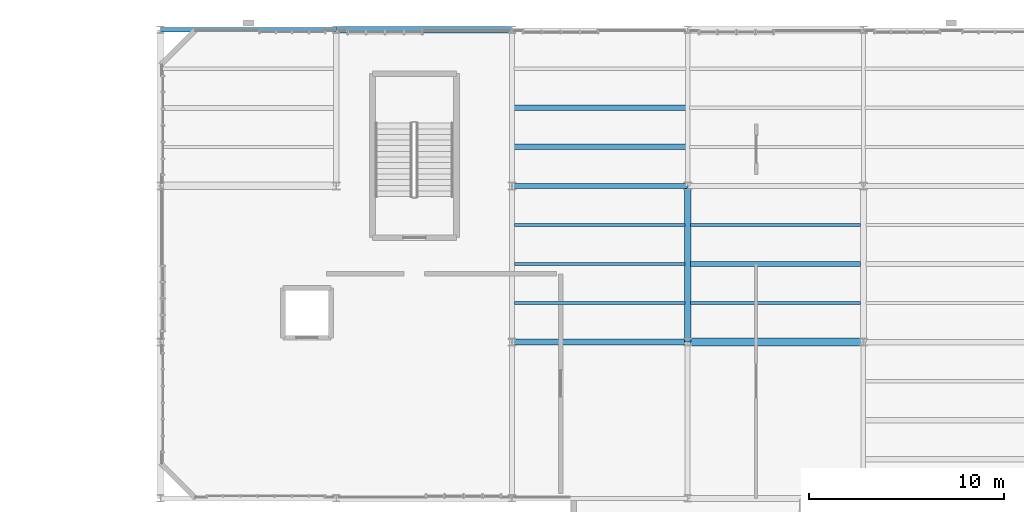
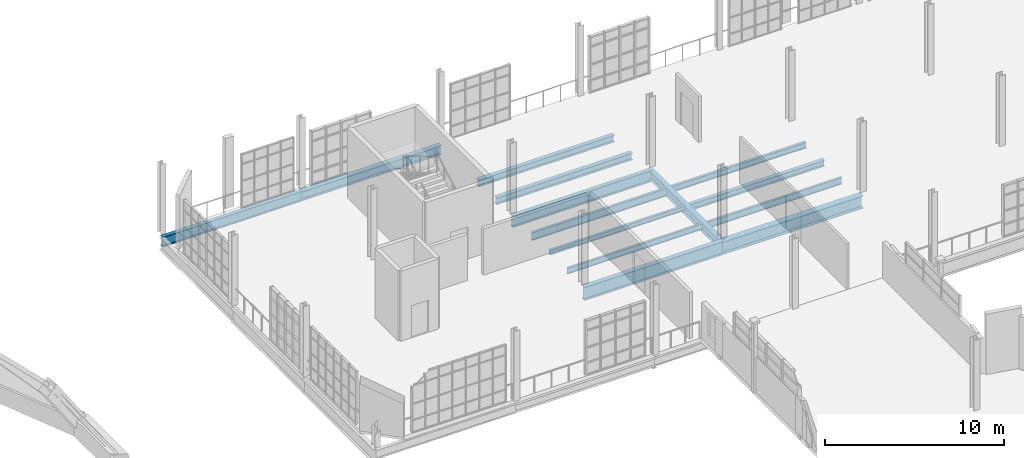
# One storey, part 64 of 118: 14 beams.
"""IFC4 building model written with IfcOpenShell, lengths in metres."""

from ifc_helpers import new_model, si_unit, direction, frame, origin, origin_2d, place, context, subcontext, project, spatial, i_section, extrude, material, material_profile, profile_set, type_object, element, save


model = new_model("IFC4")

# Units and contexts
model_context = context("Model", 3, precision=1e-05, world=origin(), true_north=direction((0.0, 1.0)))
body_context = subcontext(model_context, "Body", "Model", "MODEL_VIEW")
ifc_project = project(units=[si_unit("LENGTHUNIT", "METRE"), si_unit("AREAUNIT", "SQUARE_METRE"), si_unit("VOLUMEUNIT", "CUBIC_METRE"), si_unit("PLANEANGLEUNIT", "RADIAN"), si_unit("MASSUNIT", "GRAM", prefix="KILO"), si_unit("THERMODYNAMICTEMPERATUREUNIT", "KELVIN"), si_unit("POWERUNIT", "WATT")], contexts=[model_context])

# Site, building, storey
site_placement = place(None, origin())
site = spatial("IfcSite", under=ifc_project, at=site_placement, CompositionType="ELEMENT")
building_placement = place(site_placement, origin())
building = spatial("IfcBuilding", under=site, at=building_placement, Name="Zelmaris Science Centre", CompositionType="ELEMENT")
storey_placement = place(building_placement, frame((0.0, 0.0, 15.60009765625)))
storey = spatial("IfcBuildingStorey", under=building, at=storey_placement, Name="L03", CompositionType="ELEMENT", Elevation=15.60009765625)

# Beams
ifc_material = material(Name="Steel ASTM A992 Grade 50", Category="steel")
ifc_material_profile_1 = material_profile(ifc_material, i_section(OverallWidth=0.324951171875, OverallDepth=0.612060546875, WebThickness=0.0126953125, FlangeThickness=0.01904296875, FilletRadius=0.014892578125, at=origin_2d()), Name="W24X104")
ifc_profile_set_1 = profile_set([ifc_material_profile_1], Name="Steel ASTM A992 Grade 50")
beam_type_1 = type_object("IfcBeamType", Name="Beam G-15 W24X104", PredefinedType="BEAM", material=ifc_profile_set_1)
beam_1_placement = place(storey_placement, frame((81.0, 72.0, -0.566162109375), z_axis=(0.0, 1.0, 0.0), x_axis=(-1.0, 0.0, 0.0)))
element("IfcBeam", 1, at=beam_1_placement, inside=storey, type_object=beam_type_1, Name="L03 North-south girder 690", PredefinedType="BEAM", context=body_context, shape_type="SweptSolid", body=[
    extrude(i_section(OverallWidth=0.324951171875, OverallDepth=0.612060546875, WebThickness=0.0126953125, FlangeThickness=0.01904296875, FilletRadius=0.014892578125, at=origin_2d()), origin(), (0.0, 0.0, 1.0), 8.0),
])
ifc_material_profile_2 = material_profile(ifc_material, i_section(OverallWidth=0.304931640625, OverallDepth=0.912109375, WebThickness=0.015869140625, FlangeThickness=0.02392578125, FilletRadius=0.02392578125, at=origin_2d()), Name="W36X150")
ifc_profile_set_2 = profile_set([ifc_material_profile_2], Name="Steel ASTM A992 Grade 50")
beam_type_2 = type_object("IfcBeamType", Name="Beam G-27 W36X150", PredefinedType="BEAM", material=ifc_profile_set_2)
beam_2_placement = place(storey_placement, frame((72.0, 72.0, -0.716064453125), z_axis=(1.0, 0.0, 0.0), x_axis=(0.0, 1.0, 0.0)))
element("IfcBeam", 2, at=beam_2_placement, inside=storey, type_object=beam_type_2, Name="L03 East-west girder 760", PredefinedType="BEAM", context=body_context, shape_type="SweptSolid", body=[
    extrude(i_section(OverallWidth=0.304931640625, OverallDepth=0.912109375, WebThickness=0.015869140625, FlangeThickness=0.02392578125, FilletRadius=0.02392578125, at=origin_2d()), origin(), (0.0, 0.0, 1.0), 9.0),
])
ifc_material_profile_3 = material_profile(ifc_material, i_section(OverallWidth=0.404052734375, OverallDepth=0.861083984375, WebThickness=0.019775390625, FlangeThickness=0.032470703125, FilletRadius=0.02001953125, at=origin_2d()), Name="W33X221")
ifc_profile_set_3 = profile_set([ifc_material_profile_3], Name="Steel ASTM A992 Grade 50")
beam_type_3 = type_object("IfcBeamType", Name="Beam G-28 W33X221", PredefinedType="BEAM", material=ifc_profile_set_3)
beam_3_placement = place(storey_placement, frame((81.0, 72.0, -0.690673828125), z_axis=(1.0, 0.0, 0.0), x_axis=(0.0, 1.0, 0.0)))
element("IfcBeam", 3, at=beam_3_placement, inside=storey, type_object=beam_type_3, Name="L03 East-west girder 761", PredefinedType="BEAM", context=body_context, shape_type="SweptSolid", body=[
    extrude(i_section(OverallWidth=0.404052734375, OverallDepth=0.861083984375, WebThickness=0.019775390625, FlangeThickness=0.032470703125, FilletRadius=0.02001953125, at=origin_2d()), origin(), (0.0, 0.0, 1.0), 9.0),
])
ifc_material_profile_4 = material_profile(ifc_material, i_section(OverallWidth=0.26708984375, OverallDepth=0.780029296875, WebThickness=0.0166015625, FlangeThickness=0.030029296875, FilletRadius=0.01904296875, at=origin_2d()), Name="W30X148")
ifc_profile_set_4 = profile_set([ifc_material_profile_4], Name="Steel ASTM A992 Grade 50")
beam_type_4 = type_object("IfcBeamType", Name="Beam G-32 W30X148", PredefinedType="BEAM", material=ifc_profile_set_4)
beam_4_placement = place(storey_placement, frame((72.0, 80.0, -0.650146484375), z_axis=(1.0, 0.0, 0.0), x_axis=(0.0, 1.0, 0.0)))
element("IfcBeam", 4, at=beam_4_placement, inside=storey, type_object=beam_type_4, Name="L03 East-west girder 765", PredefinedType="BEAM", context=body_context, shape_type="SweptSolid", body=[
    extrude(i_section(OverallWidth=0.26708984375, OverallDepth=0.780029296875, WebThickness=0.0166015625, FlangeThickness=0.030029296875, FilletRadius=0.01904296875, at=origin_2d()), origin(), (0.0, 0.0, 1.0), 9.0),
])
ifc_material_profile_5 = material_profile(ifc_material, i_section(OverallWidth=0.25390625, OverallDepth=0.677978515625, WebThickness=0.01171875, FlangeThickness=0.016357421875, FilletRadius=0.01806640625, at=origin_2d()), Name="W27X84")
ifc_profile_set_5 = profile_set([ifc_material_profile_5], Name="Steel ASTM A992 Grade 50")
beam_type_5 = type_object("IfcBeamType", Name="Beam G-36 W27X84", PredefinedType="BEAM", material=ifc_profile_set_5)
beam_5_placement = place(storey_placement, frame((54.0, 88.0, -0.59912109375), z_axis=(1.0, 0.0, 0.0), x_axis=(0.0, 1.0, 0.0)))
element("IfcBeam", 5, at=beam_5_placement, inside=storey, type_object=beam_type_5, Name="L03 East-west girder 769", PredefinedType="BEAM", context=body_context, shape_type="SweptSolid", body=[
    extrude(i_section(OverallWidth=0.25390625, OverallDepth=0.677978515625, WebThickness=0.01171875, FlangeThickness=0.016357421875, FilletRadius=0.01806640625, at=origin_2d()), origin(), (0.0, 0.0, 1.0), 9.0),
])
ifc_material_profile_6 = material_profile(ifc_material, i_section(OverallWidth=0.327880859375, OverallDepth=0.626953125, WebThickness=0.0166015625, FlangeThickness=0.027587890625, FilletRadius=0.014892578125, at=origin_2d()), Name="W24X146")
ifc_profile_set_6 = profile_set([ifc_material_profile_6], Name="Steel ASTM A992 Grade 50")
beam_type_6 = type_object("IfcBeamType", Name="Beam G-37 W24X146", PredefinedType="BEAM", material=ifc_profile_set_6)
beam_6_placement = place(storey_placement, frame((63.0, 88.0, -0.573486328125), z_axis=(1.0, 0.0, 0.0), x_axis=(0.0, 1.0, 0.0)))
element("IfcBeam", 6, at=beam_6_placement, inside=storey, type_object=beam_type_6, Name="L03 East-west girder 770", PredefinedType="BEAM", context=body_context, shape_type="SweptSolid", body=[
    extrude(i_section(OverallWidth=0.327880859375, OverallDepth=0.626953125, WebThickness=0.0166015625, FlangeThickness=0.027587890625, FilletRadius=0.014892578125, at=origin_2d()), origin(), (0.0, 0.0, 1.0), 9.0),
])
ifc_material_profile_7 = material_profile(ifc_material, i_section(OverallWidth=0.16796875, OverallDepth=0.532958984375, WebThickness=0.01025390625, FlangeThickness=0.0166015625, FilletRadius=0.013916015625, at=origin_2d()), Name="W21X57")
ifc_profile_set_7 = profile_set([ifc_material_profile_7], Name="Steel ASTM A992 Grade 50")
beam_type_7 = type_object("IfcBeamType", Name="Beam J-01 W21X57", PredefinedType="JOIST", material=ifc_profile_set_7)
beam_7_placement = place(storey_placement, frame((72.118408203125, 78.0, -0.526611328125), z_axis=(1.0, 0.0, 0.0), x_axis=(0.0, 1.0, 0.0)))
element("IfcBeam", 7, at=beam_7_placement, inside=storey, type_object=beam_type_7, Name="L03 Composite floor joist 324", PredefinedType="JOIST", context=body_context, shape_type="SweptSolid", body=[
    extrude(i_section(OverallWidth=0.16796875, OverallDepth=0.532958984375, WebThickness=0.01025390625, FlangeThickness=0.0166015625, FilletRadius=0.013916015625, at=origin_2d()), origin(), (0.0, 0.0, 1.0), 8.734130859375),
])
ifc_material_profile_8 = material_profile(ifc_material, i_section(OverallWidth=0.281982421875, OverallDepth=0.471923828125, WebThickness=0.013671875, FlangeThickness=0.022216796875, FilletRadius=0.012939453125, at=origin_2d()), Name="W18X97")
ifc_profile_set_8 = profile_set([ifc_material_profile_8], Name="Steel ASTM A992 Grade 50")
beam_type_8 = type_object("IfcBeamType", Name="Beam J-02 W18X97", PredefinedType="JOIST", material=ifc_profile_set_8)
beam_8_placement = place(storey_placement, frame((72.113525390625, 82.0, -0.49609375), z_axis=(1.0, 0.0, 0.0), x_axis=(0.0, 1.0, 0.0)))
element("IfcBeam", 8, at=beam_8_placement, inside=storey, type_object=beam_type_8, Name="L03 Composite floor joist 325", PredefinedType="JOIST", context=body_context, shape_type="SweptSolid", body=[
    extrude(i_section(OverallWidth=0.281982421875, OverallDepth=0.471923828125, WebThickness=0.013671875, FlangeThickness=0.022216796875, FilletRadius=0.012939453125, at=origin_2d()), origin(), (0.0, 0.0, 1.0), 8.786865234375),
])
ifc_material_profile_9 = material_profile(ifc_material, i_section(OverallWidth=0.279052734375, OverallDepth=0.4619140625, WebThickness=0.0107421875, FlangeThickness=0.017333984375, FilletRadius=0.012939453125, at=origin_2d()), Name="W18X76")
ifc_profile_set_9 = profile_set([ifc_material_profile_9], Name="Steel ASTM A992 Grade 50")
beam_type_9 = type_object("IfcBeamType", Name="Beam J-03 W18X76", PredefinedType="JOIST", material=ifc_profile_set_9)
beam_9_placement = place(storey_placement, frame((72.113525390625, 84.0, -0.4912109375), z_axis=(1.0, 0.0, 0.0), x_axis=(0.0, 1.0, 0.0)))
element("IfcBeam", 9, at=beam_9_placement, inside=storey, type_object=beam_type_9, Name="L03 Composite floor joist 326", PredefinedType="JOIST", context=body_context, shape_type="SweptSolid", body=[
    extrude(i_section(OverallWidth=0.279052734375, OverallDepth=0.4619140625, WebThickness=0.0107421875, FlangeThickness=0.017333984375, FilletRadius=0.012939453125, at=origin_2d()), origin(), (0.0, 0.0, 1.0), 8.786865234375),
])
ifc_material_profile_10 = material_profile(ifc_material, i_section(OverallWidth=0.152099609375, OverallDepth=0.455078125, WebThickness=0.008056640625, FlangeThickness=0.01318359375, FilletRadius=0.012939453125, at=origin_2d()), Name="W18X40")
ifc_profile_set_10 = profile_set([ifc_material_profile_10], Name="Steel ASTM A992 Grade 50")
beam_type_10 = type_object("IfcBeamType", Name="Beam J-05 W18X40", PredefinedType="JOIST", material=ifc_profile_set_10)
beam_10_placement = place(storey_placement, frame((81.1474609375, 74.0, -0.487548828125), z_axis=(1.0, 0.0, 0.0), x_axis=(0.0, 1.0, 0.0)))
element("IfcBeam", 10, at=beam_10_placement, inside=storey, type_object=beam_type_10, Name="L03 Composite floor joist 328", PredefinedType="JOIST", context=body_context, shape_type="SweptSolid", body=[
    extrude(i_section(OverallWidth=0.152099609375, OverallDepth=0.455078125, WebThickness=0.008056640625, FlangeThickness=0.01318359375, FilletRadius=0.012939453125, at=origin_2d()), origin(), (0.0, 0.0, 1.0), 8.71142578125),
])
ifc_material_profile_11 = material_profile(ifc_material, i_section(OverallWidth=0.260009765625, OverallDepth=0.4140625, WebThickness=0.010009765625, FlangeThickness=0.016845703125, FilletRadius=0.011962890625, at=origin_2d()), Name="W16X67")
ifc_profile_set_11 = profile_set([ifc_material_profile_11], Name="Steel ASTM A992 Grade 50")
beam_type_11 = type_object("IfcBeamType", Name="Beam J-06 W16X67", PredefinedType="JOIST", material=ifc_profile_set_11)
beam_11_placement = place(storey_placement, frame((81.1474609375, 76.0, -0.467041015625), z_axis=(1.0, 0.0, 0.0), x_axis=(0.0, 1.0, 0.0)))
element("IfcBeam", 11, at=beam_11_placement, inside=storey, type_object=beam_type_11, Name="L03 Composite floor joist 329", PredefinedType="JOIST", context=body_context, shape_type="SweptSolid", body=[
    extrude(i_section(OverallWidth=0.260009765625, OverallDepth=0.4140625, WebThickness=0.010009765625, FlangeThickness=0.016845703125, FilletRadius=0.011962890625, at=origin_2d()), origin(), (0.0, 0.0, 1.0), 8.71142578125),
])
ifc_material_profile_12 = material_profile(ifc_material, i_section(OverallWidth=0.177978515625, OverallDepth=0.408935546875, WebThickness=0.0087890625, FlangeThickness=0.014404296875, FilletRadius=0.011962890625, at=origin_2d()), Name="W16X45")
ifc_profile_set_12 = profile_set([ifc_material_profile_12], Name="Steel ASTM A992 Grade 50")
beam_type_12 = type_object("IfcBeamType", Name="Beam J-07 W16X45", PredefinedType="JOIST", material=ifc_profile_set_12)
beam_12_placement = place(storey_placement, frame((81.1474609375, 78.0, -0.464599609375), z_axis=(1.0, 0.0, 0.0), x_axis=(0.0, 1.0, 0.0)))
element("IfcBeam", 12, at=beam_12_placement, inside=storey, type_object=beam_type_12, Name="L03 Composite floor joist 330", PredefinedType="JOIST", context=body_context, shape_type="SweptSolid", body=[
    extrude(i_section(OverallWidth=0.177978515625, OverallDepth=0.408935546875, WebThickness=0.0087890625, FlangeThickness=0.014404296875, FilletRadius=0.011962890625, at=origin_2d()), origin(), (0.0, 0.0, 1.0), 8.71142578125),
])
ifc_material_profile_13 = material_profile(ifc_material, i_section(OverallWidth=0.139892578125, OverallDepth=0.404052734375, WebThickness=0.007080078125, FlangeThickness=0.01123046875, FilletRadius=0.011962890625, at=origin_2d()), Name="W16X31")
ifc_profile_set_13 = profile_set([ifc_material_profile_13], Name="Steel ASTM A992 Grade 50")
beam_type_13 = type_object("IfcBeamType", Name="Beam J-08 W16X31", PredefinedType="JOIST", material=ifc_profile_set_13)
beam_13_placement = place(storey_placement, frame((72.118408203125, 74.0, -0.462158203125), z_axis=(1.0, 0.0, 0.0), x_axis=(0.0, 1.0, 0.0)))
element("IfcBeam", 13, at=beam_13_placement, inside=storey, type_object=beam_type_13, Name="L03 Composite floor joist 322", PredefinedType="JOIST", context=body_context, shape_type="SweptSolid", body=[
    extrude(i_section(OverallWidth=0.139892578125, OverallDepth=0.404052734375, WebThickness=0.007080078125, FlangeThickness=0.01123046875, FilletRadius=0.011962890625, at=origin_2d()), origin(), (0.0, 0.0, 1.0), 8.734130859375),
])
ifc_material_profile_14 = material_profile(ifc_material, i_section(OverallWidth=0.1669921875, OverallDepth=0.318115234375, WebThickness=0.007568359375, FlangeThickness=0.01318359375, FilletRadius=0.011962890625, at=origin_2d()), Name="W12X35")
ifc_profile_set_14 = profile_set([ifc_material_profile_14], Name="Steel ASTM A992 Grade 50")
beam_type_14 = type_object("IfcBeamType", Name="Beam J-09 W12X35", PredefinedType="JOIST", material=ifc_profile_set_14)
beam_14_placement = place(storey_placement, frame((72.118408203125, 76.0, -0.419189453125), z_axis=(1.0, 0.0, 0.0), x_axis=(0.0, 1.0, 0.0)))
element("IfcBeam", 14, at=beam_14_placement, inside=storey, type_object=beam_type_14, Name="L03 Composite floor joist 323", PredefinedType="JOIST", context=body_context, shape_type="SweptSolid", body=[
    extrude(i_section(OverallWidth=0.1669921875, OverallDepth=0.318115234375, WebThickness=0.007568359375, FlangeThickness=0.01318359375, FilletRadius=0.011962890625, at=origin_2d()), origin(), (0.0, 0.0, 1.0), 8.734130859375),
])

save(model, "model.ifc")
